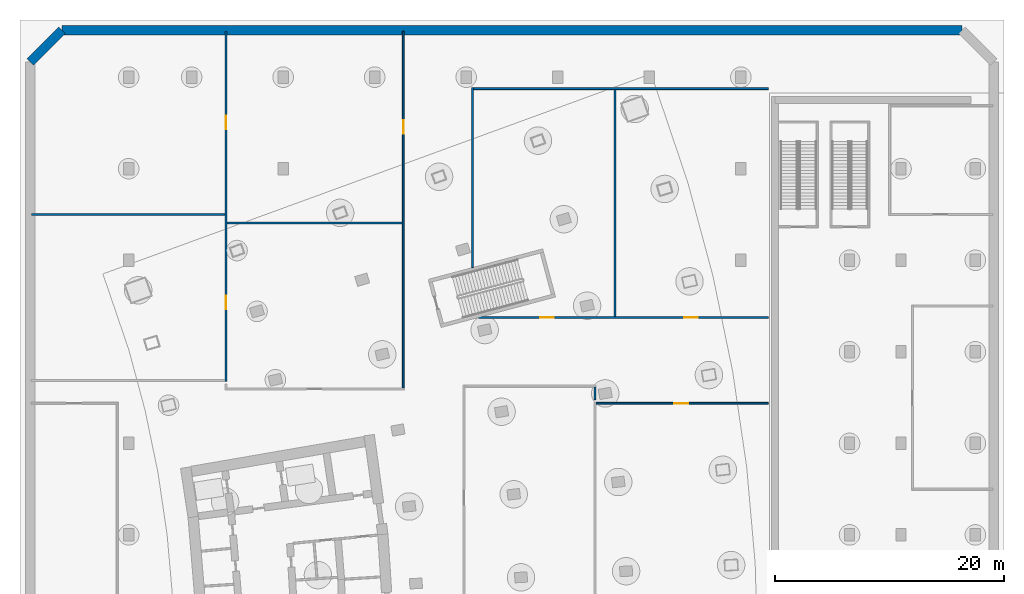
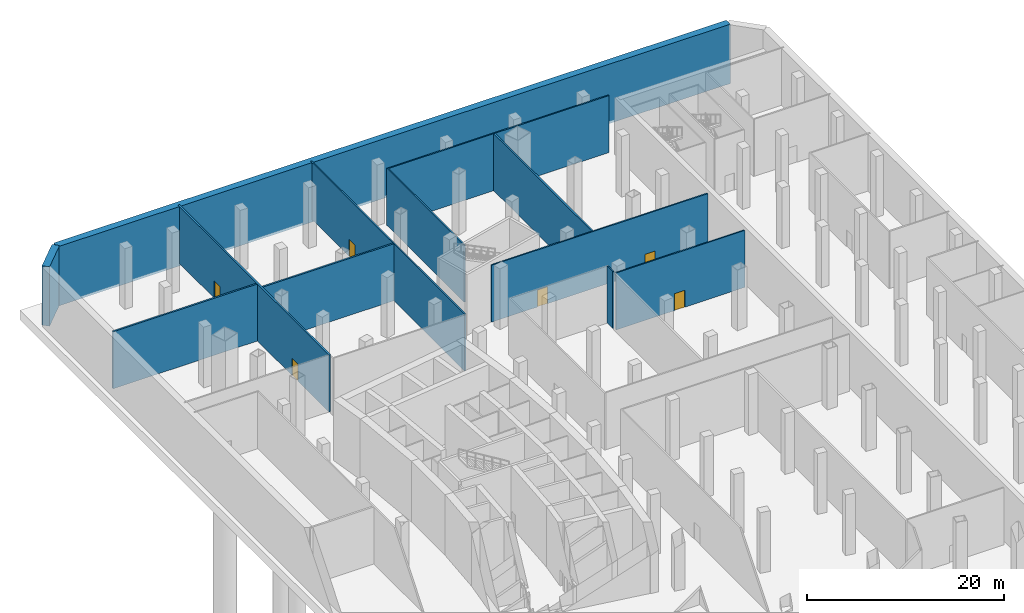
# One storey, part 12 of 19: 12 walls, 6 doors, 6 openings.
"""IFC4 building model written with IfcOpenShell, lengths in metres."""

from ifc_helpers import new_model, si_unit, direction, frame, frame_2d, origin, place, context, subcontext, project, spatial, rectangle, extrude, material, layer, layer_set, type_object, element, fill, save


model = new_model("IFC4")

# Units and contexts
model_context = context("Model", 3, precision=1e-05, world=origin(), true_north=direction((0.0, 1.0)))
body_context = subcontext(model_context, "Body", "Model", "MODEL_VIEW")
ifc_project = project(units=[si_unit("LENGTHUNIT", "METRE"), si_unit("AREAUNIT", "SQUARE_METRE"), si_unit("VOLUMEUNIT", "CUBIC_METRE"), si_unit("PLANEANGLEUNIT", "RADIAN"), si_unit("MASSUNIT", "GRAM", prefix="KILO")], contexts=[model_context])

# Site, building, storey
site_placement = place(None, origin())
site = spatial("IfcSite", under=ifc_project, at=site_placement, CompositionType="ELEMENT")
building_placement = place(site_placement, origin())
building = spatial("IfcBuilding", under=site, at=building_placement, Name="Alderwake Tower", CompositionType="ELEMENT")
storey_placement = place(building_placement, frame((0.0, 0.0, -14.0)))
storey = spatial("IfcBuildingStorey", under=building, at=storey_placement, Name="B2", CompositionType="ELEMENT", Elevation=-14.0)

# Walls
ifc_material_1 = material(Name="Concrete C50/60", Category="concrete")
ifc_layer_1 = layer(ifc_material_1, 0.800048828125)
ifc_layer_set_1 = layer_set([ifc_layer_1], Name="Basement retaining wall 800")
wall_type_1 = type_object("IfcWallType", Name="Basement retaining wall 800", PredefinedType="SOLIDWALL", material=ifc_layer_set_1)
wall_1_placement = place(storey_placement, frame((1.89990234375, 113.334228515625, -0.300048828125), z_axis=(0.0, 0.0, 1.0), x_axis=(0.707106781187, 0.707106781187, 0.0)))
element("IfcWall", 1, at=wall_1_placement, inside=storey, type_object=wall_type_1, Name="Retaining wall 3", PredefinedType="SOLIDWALL", context=body_context, shape_type="SweptSolid", body=[
    extrude(rectangle(XDim=3.91162109375, YDim=0.800048828125, at=frame_2d((1.955810546875, 0.0))), origin(), (0.0, 0.0, 1.0), 7.35009765625),
])
wall_2_placement = place(storey_placement, frame((4.665771484375, 116.10009765625, -0.300048828125), z_axis=(0.0, 0.0, 1.0), x_axis=(1.0, 0.0, 0.0)))
element("IfcWall", 2, at=wall_2_placement, inside=storey, type_object=wall_type_1, Name="Retaining wall 4", PredefinedType="SOLIDWALL", context=body_context, shape_type="SweptSolid", body=[
    extrude(rectangle(XDim=78.66845703125, YDim=0.800048828125, at=frame_2d((39.334228515625, 0.0))), origin(), (0.0, 0.0, 1.0), 7.35009765625),
])

# Wall, opening, door
ifc_material_2 = material(Name="Gypsum board on metal studs, rated")
ifc_layer_2 = layer(ifc_material_2, 0.159912109375)
ifc_layer_set_2 = layer_set([ifc_layer_2], Name="Corridor wall 160")
wall_type_2 = type_object("IfcWallType", Name="Corridor wall 160", PredefinedType="PARTITIONING", material=ifc_layer_set_2)
wall_3_placement = place(storey_placement, frame((34.5, 116.0009765625, 0.0), z_axis=(0.0, 0.0, 1.0), x_axis=(0.0, -1.0, 0.0)))
wall_3 = element("IfcWall", 3, at=wall_3_placement, inside=storey, type_object=wall_type_2, Name="WL/B2/W43", PredefinedType="PARTITIONING", context=body_context, shape_type="SweptSolid", body=[
    extrude(rectangle(XDim=31.1708984375, YDim=0.159912109375, at=frame_2d((15.58544921875, 0.0))), origin(), (0.0, 0.0, 1.0), 7.050048828125),
])
opening_1_placement = place(wall_3_placement, frame((7.7509765625, 0.0, 0.0)))
opening_1 = element("IfcOpeningElement", 4, at=opening_1_placement, cuts=wall_3, Name="Opening B2-22", PredefinedType="OPENING", context=body_context, shape_type="SweptSolid", body=[
    extrude(rectangle(XDim=1.199951171875, YDim=2.10009765625, at=frame_2d((0.60009765625, 1.050048828125))), frame((0.0, 0.08984375, 0.0), z_axis=(0.0, -1.0, 0.0), x_axis=(1.0, 0.0, 0.0)), (0.0, 0.0, 1.0), 0.179931640625),
])
ifc_material_3 = material(Name="Steel door leaf in steel frame", Category="steel")
door_type = type_object("IfcDoorType", Name="Plant room door 1200 steel", OperationType="SINGLE_SWING_LEFT", PredefinedType="DOOR", material=ifc_material_3)
door_1_placement = place(opening_1_placement, origin())
door_1 = element("IfcDoor", 5, at=door_1_placement, inside=storey, type_object=door_type, Name="DR/B2/22", OperationType="SINGLE_SWING_LEFT", OverallHeight=2.10009765625, OverallWidth=1.199951171875, PredefinedType="DOOR", context=body_context, shape_type="SweptSolid", body=[
    extrude(rectangle(XDim=1.199951171875, YDim=2.10009765625, at=frame_2d((0.60009765625, 1.050048828125))), frame((0.0, 0.02490234375, 0.0), z_axis=(0.0, -1.0, 0.0), x_axis=(1.0, 0.0, 0.0)), (0.0, 0.0, 1.0), 0.050048828125),
])
fill(opening_1, door_1)

# Walls
wall_4_placement = place(storey_placement, frame((40.551025390625, 95.361083984375, 0.0), z_axis=(0.0, 0.0, 1.0), x_axis=(0.0, 1.0, 0.0)))
element("IfcWall", 6, at=wall_4_placement, inside=storey, type_object=wall_type_2, Name="WL/B2/W50", PredefinedType="PARTITIONING", context=body_context, shape_type="SweptSolid", body=[
    extrude(rectangle(XDim=15.718994140625, YDim=0.159912109375, at=frame_2d((7.859375, 0.0))), origin(), (0.0, 0.0, 1.0), 7.050048828125),
])
wall_5_placement = place(storey_placement, frame((40.631103515625, 111.0, 0.0), z_axis=(0.0, 0.0, 1.0), x_axis=(1.0, 0.0, 0.0)))
element("IfcWall", 7, at=wall_5_placement, inside=storey, type_object=wall_type_2, Name="WL/B2/W51", PredefinedType="PARTITIONING", context=body_context, shape_type="SweptSolid", body=[
    extrude(rectangle(XDim=25.767822265625, YDim=0.159912109375, at=frame_2d((12.8837890625, 0.0))), origin(), (0.0, 0.0, 1.0), 7.050048828125),
])

# Wall, opening, door
wall_6_placement = place(storey_placement, frame((51.34912109375, 83.4990234375, 0.0), z_axis=(0.0, 0.0, 1.0), x_axis=(1.0, 0.0, 0.0)))
wall_6 = element("IfcWall", 8, at=wall_6_placement, inside=storey, type_object=wall_type_2, Name="WL/B2/W52", PredefinedType="PARTITIONING", context=body_context, shape_type="SweptSolid", body=[
    extrude(rectangle(XDim=15.0498046875, YDim=0.159912109375, at=frame_2d((7.52490234375, 0.0))), origin(), (0.0, 0.0, 1.0), 7.050048828125),
])
opening_2_placement = place(wall_6_placement, frame((6.85107421875, 0.0, 0.0)))
opening_2 = element("IfcOpeningElement", 9, at=opening_2_placement, cuts=wall_6, Name="Opening B2-27", PredefinedType="OPENING", context=body_context, shape_type="SweptSolid", body=[
    extrude(rectangle(XDim=1.199951171875, YDim=2.10009765625, at=frame_2d((0.60009765625, 1.050048828125))), frame((0.0, 0.08984375, 0.0), z_axis=(0.0, -1.0, 0.0), x_axis=(1.0, 0.0, 0.0)), (0.0, 0.0, 1.0), 0.179931640625),
])
door_2_placement = place(opening_2_placement, origin())
door_2 = element("IfcDoor", 10, at=door_2_placement, inside=storey, type_object=door_type, Name="DR/B2/27", OperationType="SINGLE_SWING_LEFT", OverallHeight=2.10009765625, OverallWidth=1.199951171875, PredefinedType="DOOR", context=body_context, shape_type="SweptSolid", body=[
    extrude(rectangle(XDim=1.199951171875, YDim=2.10009765625, at=frame_2d((0.60009765625, 1.050048828125))), frame((0.0, 0.02490234375, 0.0), z_axis=(0.0, -1.0, 0.0), x_axis=(1.0, 0.0, 0.0)), (0.0, 0.0, 1.0), 0.050048828125),
])
fill(opening_2, door_2)

# Wall
wall_7_placement = place(storey_placement, frame((51.2490234375, 84.9189453125, 0.0), z_axis=(0.0, 0.0, 1.0), x_axis=(0.0, -1.0, 0.0)))
element("IfcWall", 11, at=wall_7_placement, inside=storey, type_object=wall_type_2, Name="WL/B2/W53", PredefinedType="PARTITIONING", context=body_context, shape_type="SweptSolid", body=[
    extrude(rectangle(XDim=1.086669921875, YDim=0.159912109375, at=frame_2d((0.54345703125, 0.0))), origin(), (0.0, 0.0, 1.0), 7.050048828125),
])

# Wall, openings, doors
wall_8_placement = place(storey_placement, frame((66.39892578125, 90.9990234375, 0.0), z_axis=(0.0, 0.0, 1.0), x_axis=(-1.0, 0.0, 0.0)))
wall_8 = element("IfcWall", 12, at=wall_8_placement, inside=storey, type_object=wall_type_2, Name="WL/B2/W58", PredefinedType="PARTITIONING", context=body_context, shape_type="SweptSolid", body=[
    extrude(rectangle(XDim=25.31689453125, YDim=0.159912109375, at=frame_2d((12.658447265625, 0.0))), origin(), (0.0, 0.0, 1.0), 7.050048828125),
])
opening_3_placement = place(wall_8_placement, frame((18.7490234375, 0.0, 0.0)))
opening_3 = element("IfcOpeningElement", 13, at=opening_3_placement, cuts=wall_8, Name="Opening B2-28", PredefinedType="OPENING", context=body_context, shape_type="SweptSolid", body=[
    extrude(rectangle(XDim=1.199951171875, YDim=2.10009765625, at=frame_2d((0.60009765625, 1.050048828125))), frame((0.0, 0.08984375, 0.0), z_axis=(0.0, -1.0, 0.0), x_axis=(1.0, 0.0, 0.0)), (0.0, 0.0, 1.0), 0.179931640625),
])
opening_4_placement = place(wall_8_placement, frame((6.14892578125, 0.0, 0.0)))
opening_4 = element("IfcOpeningElement", 14, at=opening_4_placement, cuts=wall_8, Name="Opening B2-29", PredefinedType="OPENING", context=body_context, shape_type="SweptSolid", body=[
    extrude(rectangle(XDim=1.199951171875, YDim=2.10009765625, at=frame_2d((0.60009765625, 1.050048828125))), frame((0.0, 0.08984375, 0.0), z_axis=(0.0, -1.0, 0.0), x_axis=(1.0, 0.0, 0.0)), (0.0, 0.0, 1.0), 0.179931640625),
])
door_3_placement = place(opening_3_placement, origin())
door_3 = element("IfcDoor", 15, at=door_3_placement, inside=storey, type_object=door_type, Name="DR/B2/28", OperationType="SINGLE_SWING_LEFT", OverallHeight=2.10009765625, OverallWidth=1.199951171875, PredefinedType="DOOR", context=body_context, shape_type="SweptSolid", body=[
    extrude(rectangle(XDim=1.199951171875, YDim=2.10009765625, at=frame_2d((0.60009765625, 1.050048828125))), frame((0.0, 0.02490234375, 0.0), z_axis=(0.0, -1.0, 0.0), x_axis=(1.0, 0.0, 0.0)), (0.0, 0.0, 1.0), 0.050048828125),
])
fill(opening_3, door_3)
door_4_placement = place(opening_4_placement, origin())
door_4 = element("IfcDoor", 16, at=door_4_placement, inside=storey, type_object=door_type, Name="DR/B2/29", OperationType="SINGLE_SWING_LEFT", OverallHeight=2.10009765625, OverallWidth=1.199951171875, PredefinedType="DOOR", context=body_context, shape_type="SweptSolid", body=[
    extrude(rectangle(XDim=1.199951171875, YDim=2.10009765625, at=frame_2d((0.60009765625, 1.050048828125))), frame((0.0, 0.02490234375, 0.0), z_axis=(0.0, -1.0, 0.0), x_axis=(1.0, 0.0, 0.0)), (0.0, 0.0, 1.0), 0.050048828125),
])
fill(opening_4, door_4)

ifc_material_4 = material(Name="Dense block masonry wall", Category="masonry")
ifc_layer_3 = layer(ifc_material_4, 0.199951171875)
ifc_layer_set_3 = layer_set([ifc_layer_3], Name="Party wall 200")
wall_type_3 = type_object("IfcWallType", Name="Party wall 200", PredefinedType="SOLIDWALL", material=ifc_layer_set_3)
wall_9_placement = place(storey_placement, frame((18.9990234375, 116.0009765625, 0.0), z_axis=(0.0, 0.0, 1.0), x_axis=(0.0, -1.0, 0.0)))
wall_9 = element("IfcWall", 17, at=wall_9_placement, inside=storey, type_object=wall_type_3, Name="WL/B2/W04", PredefinedType="SOLIDWALL", context=body_context, shape_type="SweptSolid", body=[
    extrude(rectangle(XDim=30.5810546875, YDim=0.199951171875, at=frame_2d((15.29052734375, 0.0))), origin(), (0.0, 0.0, 1.0), 7.050048828125),
])
opening_5_placement = place(wall_9_placement, frame((23.10107421875, 0.0, 0.0)))
opening_5 = element("IfcOpeningElement", 18, at=opening_5_placement, cuts=wall_9, Name="Opening B2-19", PredefinedType="OPENING", context=body_context, shape_type="SweptSolid", body=[
    extrude(rectangle(XDim=1.199951171875, YDim=2.10009765625, at=frame_2d((0.60009765625, 1.050048828125))), frame((0.0, 0.10986328125, 0.0), z_axis=(0.0, -1.0, 0.0), x_axis=(1.0, 0.0, 0.0)), (0.0, 0.0, 1.0), 0.219970703125),
])
opening_6_placement = place(wall_9_placement, frame((7.35107421875, 0.0, 0.0)))
opening_6 = element("IfcOpeningElement", 19, at=opening_6_placement, cuts=wall_9, Name="Opening B2-21", PredefinedType="OPENING", context=body_context, shape_type="SweptSolid", body=[
    extrude(rectangle(XDim=1.199951171875, YDim=2.10009765625, at=frame_2d((0.60009765625, 1.050048828125))), frame((0.0, 0.10986328125, 0.0), z_axis=(0.0, -1.0, 0.0), x_axis=(1.0, 0.0, 0.0)), (0.0, 0.0, 1.0), 0.219970703125),
])
door_5_placement = place(opening_5_placement, origin())
door_5 = element("IfcDoor", 20, at=door_5_placement, inside=storey, type_object=door_type, Name="DR/B2/19", OperationType="SINGLE_SWING_LEFT", OverallHeight=2.10009765625, OverallWidth=1.199951171875, PredefinedType="DOOR", context=body_context, shape_type="SweptSolid", body=[
    extrude(rectangle(XDim=1.199951171875, YDim=2.10009765625, at=frame_2d((0.60009765625, 1.050048828125))), frame((0.0, 0.02490234375, 0.0), z_axis=(0.0, -1.0, 0.0), x_axis=(1.0, 0.0, 0.0)), (0.0, 0.0, 1.0), 0.050048828125),
])
fill(opening_5, door_5)
door_6_placement = place(opening_6_placement, origin())
door_6 = element("IfcDoor", 21, at=door_6_placement, inside=storey, type_object=door_type, Name="DR/B2/21", OperationType="SINGLE_SWING_LEFT", OverallHeight=2.10009765625, OverallWidth=1.199951171875, PredefinedType="DOOR", context=body_context, shape_type="SweptSolid", body=[
    extrude(rectangle(XDim=1.199951171875, YDim=2.10009765625, at=frame_2d((0.60009765625, 1.050048828125))), frame((0.0, 0.02490234375, 0.0), z_axis=(0.0, -1.0, 0.0), x_axis=(1.0, 0.0, 0.0)), (0.0, 0.0, 1.0), 0.050048828125),
])
fill(opening_6, door_6)

# Walls
wall_10_placement = place(storey_placement, frame((18.89892578125, 99.9990234375, 0.0), z_axis=(0.0, 0.0, 1.0), x_axis=(-1.0, 0.0, 0.0)))
element("IfcWall", 22, at=wall_10_placement, inside=storey, type_object=wall_type_3, Name="WL/B2/W05", PredefinedType="SOLIDWALL", context=body_context, shape_type="SweptSolid", body=[
    extrude(rectangle(XDim=16.89794921875, YDim=0.199951171875, at=frame_2d((8.448974609375, 0.0))), origin(), (0.0, 0.0, 1.0), 7.050048828125),
])
wall_11_placement = place(storey_placement, frame((34.419921875, 99.2490234375, 0.0), z_axis=(0.0, 0.0, 1.0), x_axis=(-1.0, 0.0, 0.0)))
element("IfcWall", 23, at=wall_11_placement, inside=storey, type_object=wall_type_3, Name="WL/B2/W07", PredefinedType="SOLIDWALL", context=body_context, shape_type="SweptSolid", body=[
    extrude(rectangle(XDim=15.32080078125, YDim=0.199951171875, at=frame_2d((7.660400390625, 0.0))), origin(), (0.0, 0.0, 1.0), 7.050048828125),
])
wall_12_placement = place(storey_placement, frame((53.0009765625, 91.0791015625, 0.0), z_axis=(0.0, 0.0, 1.0), x_axis=(0.0, 1.0, 0.0)))
element("IfcWall", 24, at=wall_12_placement, inside=storey, type_object=wall_type_3, Name="WL/B2/W09", PredefinedType="SOLIDWALL", context=body_context, shape_type="SweptSolid", body=[
    extrude(rectangle(XDim=19.8408203125, YDim=0.199951171875, at=frame_2d((9.92041015625, 0.0))), origin(), (0.0, 0.0, 1.0), 7.050048828125),
])

save(model, "model.ifc")
